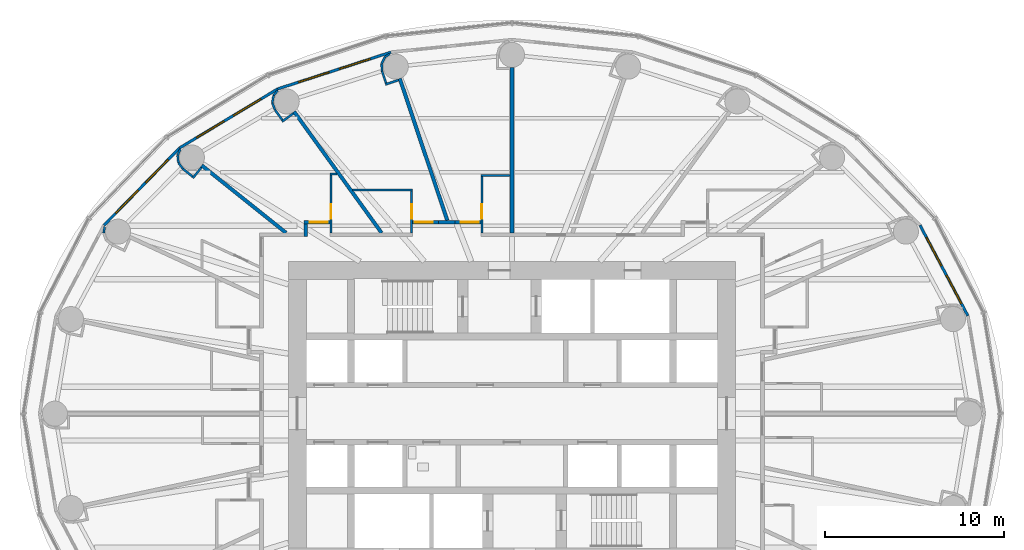
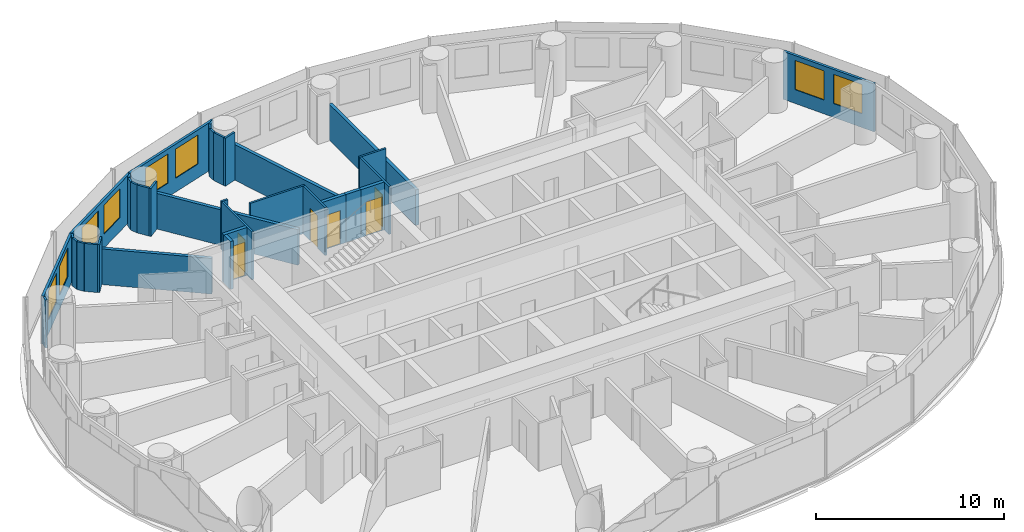
# One storey, part 12 of 16: 35 walls, 8 windows, 6 doors, 14 openings.
"""IFC4 building model written with IfcOpenShell, lengths in metres."""

from ifc_helpers import new_model, si_unit, direction, frame, frame_2d, origin, place, context, subcontext, project, spatial, rectangle, extrude, material, layer, layer_set, type_object, element, fill, save


model = new_model("IFC4")

# Units and contexts
model_context = context("Model", 3, precision=1e-05, world=origin(), true_north=direction((0.0, 1.0)))
body_context = subcontext(model_context, "Body", "Model", "MODEL_VIEW")
ifc_project = project(units=[si_unit("LENGTHUNIT", "METRE"), si_unit("AREAUNIT", "SQUARE_METRE"), si_unit("VOLUMEUNIT", "CUBIC_METRE"), si_unit("PLANEANGLEUNIT", "RADIAN"), si_unit("MASSUNIT", "GRAM", prefix="KILO")], contexts=[model_context])

# Site, building, storey
site_placement = place(None, origin())
site = spatial("IfcSite", under=ifc_project, at=site_placement, CompositionType="ELEMENT")
building_placement = place(site_placement, origin())
building = spatial("IfcBuilding", under=site, at=building_placement, Name="Hankou Lantern Tower", CompositionType="ELEMENT")
storey_placement = place(building_placement, frame((0.0, 0.0, 70.5)))
storey = spatial("IfcBuildingStorey", under=building, at=storey_placement, Name="L17", CompositionType="ELEMENT", Elevation=70.5)

# Wall, openings, windows
ifc_material_1 = material(Name="Aluminium spandrel panel on steel studs", Category="steel")
ifc_layer_1 = layer(ifc_material_1, 0.14990234375)
ifc_layer_set_1 = layer_set([ifc_layer_1], Name="Aluminium spandrel panel on steel studs")
wall_type_1 = type_object("IfcWallType", Name="EW1 INNER SKIN WALL 150", PredefinedType="ELEMENTEDWALL", material=ifc_layer_set_1)
wall_1_placement = place(storey_placement, frame((25.482421875, 5.46240234375, 0.0), z_axis=(0.0, 0.0, 1.0), x_axis=(-0.467296867008, 0.884100468321, 0.0)))
wall_1 = element("IfcWall", 1, at=wall_1_placement, inside=storey, type_object=wall_type_1, Name="Inner skin R02-R03 L17", PredefinedType="ELEMENTEDWALL", context=body_context, shape_type="SweptSolid", body=[
    extrude(rectangle(XDim=5.734375, YDim=0.14990234375, at=frame_2d((2.8671875, 0.0))), origin(), (0.0, 0.0, 1.0), 3.1201171875),
])
opening_1_placement = place(wall_1_placement, frame((0.76708984375, 0.0, 0.89990234375)))
opening_1 = element("IfcOpeningElement", 2, at=opening_1_placement, cuts=wall_1, Name="Opening W1", PredefinedType="OPENING", context=body_context, shape_type="SweptSolid", body=[
    extrude(rectangle(XDim=1.800048828125, YDim=1.89990234375, at=frame_2d((0.89990234375, 0.949951171875))), frame((0.0, 0.0849609375, 0.0), z_axis=(0.0, -1.0, 0.0), x_axis=(1.0, 0.0, 0.0)), (0.0, 0.0, 1.0), 0.169921875),
])
opening_2_placement = place(wall_1_placement, frame((3.167236328125, 0.0, 0.89990234375)))
opening_2 = element("IfcOpeningElement", 3, at=opening_2_placement, cuts=wall_1, Name="Opening W1", PredefinedType="OPENING", context=body_context, shape_type="SweptSolid", body=[
    extrude(rectangle(XDim=1.800048828125, YDim=1.89990234375, at=frame_2d((0.89990234375, 0.949951171875))), frame((0.0, 0.0849609375, 0.0), z_axis=(0.0, -1.0, 0.0), x_axis=(1.0, 0.0, 0.0)), (0.0, 0.0, 1.0), 0.169921875),
])
ifc_material_2 = material(Name="Aluminium framed double glazed window", Category="aluminium")
window_type = type_object("IfcWindowType", Name="W1 GUEST ROOM WINDOW 1800X1900", PartitioningType="DOUBLE_PANEL_VERTICAL", PredefinedType="WINDOW", material=ifc_material_2)
window_1_placement = place(opening_1_placement, origin())
window_1 = element("IfcWindow", 4, at=window_1_placement, inside=storey, type_object=window_type, Name="Window R02.1 L17", OverallHeight=1.89990234375, OverallWidth=1.800048828125, PartitioningType="SINGLE_PANEL", PredefinedType="WINDOW", context=body_context, shape_type="SweptSolid", body=[
    extrude(rectangle(XDim=1.800048828125, YDim=1.89990234375, at=frame_2d((0.89990234375, 0.949951171875))), frame((0.0, 0.030029296875, 0.0), z_axis=(0.0, -1.0, 0.0), x_axis=(1.0, 0.0, 0.0)), (0.0, 0.0, 1.0), 0.06005859375),
])
fill(opening_1, window_1)
window_2_placement = place(opening_2_placement, origin())
window_2 = element("IfcWindow", 5, at=window_2_placement, inside=storey, type_object=window_type, Name="Window R02.2 L17", OverallHeight=1.89990234375, OverallWidth=1.800048828125, PartitioningType="SINGLE_PANEL", PredefinedType="WINDOW", context=body_context, shape_type="SweptSolid", body=[
    extrude(rectangle(XDim=1.800048828125, YDim=1.89990234375, at=frame_2d((0.89990234375, 0.949951171875))), frame((0.0, 0.030029296875, 0.0), z_axis=(0.0, -1.0, 0.0), x_axis=(1.0, 0.0, 0.0)), (0.0, 0.0, 1.0), 0.06005859375),
])
fill(opening_2, window_2)

wall_2_placement = place(storey_placement, frame((-6.766357421875, 20.201904296875, 0.0), z_axis=(0.0, 0.0, 1.0), x_axis=(-0.951137534625, -0.308767534285, 0.0)))
wall_2 = element("IfcWall", 6, at=wall_2_placement, inside=storey, type_object=wall_type_1, Name="Inner skin R08-R09 L17", PredefinedType="ELEMENTEDWALL", context=body_context, shape_type="SweptSolid", body=[
    extrude(rectangle(XDim=6.6552734375, YDim=0.14990234375, at=frame_2d((3.32763671875, 0.0))), origin(), (0.0, 0.0, 1.0), 3.1201171875),
])
opening_3_placement = place(wall_2_placement, frame((1.2275390625, 0.0, 0.89990234375)))
opening_3 = element("IfcOpeningElement", 7, at=opening_3_placement, cuts=wall_2, Name="Opening W1", PredefinedType="OPENING", context=body_context, shape_type="SweptSolid", body=[
    extrude(rectangle(XDim=1.800048828125, YDim=1.89990234375, at=frame_2d((0.89990234375, 0.949951171875))), frame((0.0, 0.0849609375, 0.0), z_axis=(0.0, -1.0, 0.0), x_axis=(1.0, 0.0, 0.0)), (0.0, 0.0, 1.0), 0.169921875),
])
opening_4_placement = place(wall_2_placement, frame((3.627685546875, 0.0, 0.89990234375)))
opening_4 = element("IfcOpeningElement", 8, at=opening_4_placement, cuts=wall_2, Name="Opening W1", PredefinedType="OPENING", context=body_context, shape_type="SweptSolid", body=[
    extrude(rectangle(XDim=1.800048828125, YDim=1.89990234375, at=frame_2d((0.89990234375, 0.949951171875))), frame((0.0, 0.0849609375, 0.0), z_axis=(0.0, -1.0, 0.0), x_axis=(1.0, 0.0, 0.0)), (0.0, 0.0, 1.0), 0.169921875),
])
window_3_placement = place(opening_3_placement, origin())
window_3 = element("IfcWindow", 9, at=window_3_placement, inside=storey, type_object=window_type, Name="Window R08.1 L17", OverallHeight=1.89990234375, OverallWidth=1.800048828125, PartitioningType="SINGLE_PANEL", PredefinedType="WINDOW", context=body_context, shape_type="SweptSolid", body=[
    extrude(rectangle(XDim=1.800048828125, YDim=1.89990234375, at=frame_2d((0.89990234375, 0.949951171875))), frame((0.0, 0.030029296875, 0.0), z_axis=(0.0, -1.0, 0.0), x_axis=(1.0, 0.0, 0.0)), (0.0, 0.0, 1.0), 0.06005859375),
])
fill(opening_3, window_3)
window_4_placement = place(opening_4_placement, origin())
window_4 = element("IfcWindow", 10, at=window_4_placement, inside=storey, type_object=window_type, Name="Window R08.2 L17", OverallHeight=1.89990234375, OverallWidth=1.800048828125, PartitioningType="SINGLE_PANEL", PredefinedType="WINDOW", context=body_context, shape_type="SweptSolid", body=[
    extrude(rectangle(XDim=1.800048828125, YDim=1.89990234375, at=frame_2d((0.89990234375, 0.949951171875))), frame((0.0, 0.030029296875, 0.0), z_axis=(0.0, -1.0, 0.0), x_axis=(1.0, 0.0, 0.0)), (0.0, 0.0, 1.0), 0.06005859375),
])
fill(opening_4, window_4)

wall_3_placement = place(storey_placement, frame((-13.096435546875, 18.14697265625, 0.0), z_axis=(0.0, 0.0, 1.0), x_axis=(-0.856983180864, -0.515344377787, 0.0)))
wall_3 = element("IfcWall", 11, at=wall_3_placement, inside=storey, type_object=wall_type_1, Name="Inner skin R09-R10 L17", PredefinedType="ELEMENTEDWALL", context=body_context, shape_type="SweptSolid", body=[
    extrude(rectangle(XDim=6.386474609375, YDim=0.14990234375, at=frame_2d((3.193359375, 0.0))), origin(), (0.0, 0.0, 1.0), 3.1201171875),
])
opening_5_placement = place(wall_3_placement, frame((1.09326171875, 0.0, 0.89990234375)))
opening_5 = element("IfcOpeningElement", 12, at=opening_5_placement, cuts=wall_3, Name="Opening W1", PredefinedType="OPENING", context=body_context, shape_type="SweptSolid", body=[
    extrude(rectangle(XDim=1.800048828125, YDim=1.89990234375, at=frame_2d((0.89990234375, 0.949951171875))), frame((0.0, 0.0849609375, 0.0), z_axis=(0.0, -1.0, 0.0), x_axis=(1.0, 0.0, 0.0)), (0.0, 0.0, 1.0), 0.169921875),
])
opening_6_placement = place(wall_3_placement, frame((3.4931640625, 0.0, 0.89990234375)))
opening_6 = element("IfcOpeningElement", 13, at=opening_6_placement, cuts=wall_3, Name="Opening W1", PredefinedType="OPENING", context=body_context, shape_type="SweptSolid", body=[
    extrude(rectangle(XDim=1.800048828125, YDim=1.89990234375, at=frame_2d((0.89990234375, 0.949951171875))), frame((0.0, 0.0849609375, 0.0), z_axis=(0.0, -1.0, 0.0), x_axis=(1.0, 0.0, 0.0)), (0.0, 0.0, 1.0), 0.169921875),
])
window_5_placement = place(opening_5_placement, origin())
window_5 = element("IfcWindow", 14, at=window_5_placement, inside=storey, type_object=window_type, Name="Window R09.1 L17", OverallHeight=1.89990234375, OverallWidth=1.800048828125, PartitioningType="SINGLE_PANEL", PredefinedType="WINDOW", context=body_context, shape_type="SweptSolid", body=[
    extrude(rectangle(XDim=1.800048828125, YDim=1.89990234375, at=frame_2d((0.89990234375, 0.949951171875))), frame((0.0, 0.030029296875, 0.0), z_axis=(0.0, -1.0, 0.0), x_axis=(1.0, 0.0, 0.0)), (0.0, 0.0, 1.0), 0.06005859375),
])
fill(opening_5, window_5)
window_6_placement = place(opening_6_placement, origin())
window_6 = element("IfcWindow", 15, at=window_6_placement, inside=storey, type_object=window_type, Name="Window R09.2 L17", OverallHeight=1.89990234375, OverallWidth=1.800048828125, PartitioningType="SINGLE_PANEL", PredefinedType="WINDOW", context=body_context, shape_type="SweptSolid", body=[
    extrude(rectangle(XDim=1.800048828125, YDim=1.89990234375, at=frame_2d((0.89990234375, 0.949951171875))), frame((0.0, 0.030029296875, 0.0), z_axis=(0.0, -1.0, 0.0), x_axis=(1.0, 0.0, 0.0)), (0.0, 0.0, 1.0), 0.06005859375),
])
fill(opening_6, window_6)

wall_4_placement = place(storey_placement, frame((-18.569580078125, 14.855712890625, 0.0), z_axis=(0.0, 0.0, 1.0), x_axis=(-0.699602905915, -0.714531856557, 0.0)))
wall_4 = element("IfcWall", 16, at=wall_4_placement, inside=storey, type_object=wall_type_1, Name="Inner skin R10-R11 L17", PredefinedType="ELEMENTEDWALL", context=body_context, shape_type="SweptSolid", body=[
    extrude(rectangle(XDim=6.05078125, YDim=0.14990234375, at=frame_2d((3.025390625, 0.0))), origin(), (0.0, 0.0, 1.0), 3.1201171875),
])
opening_7_placement = place(wall_4_placement, frame((0.925537109375, 0.0, 0.89990234375)))
opening_7 = element("IfcOpeningElement", 17, at=opening_7_placement, cuts=wall_4, Name="Opening W1", PredefinedType="OPENING", context=body_context, shape_type="SweptSolid", body=[
    extrude(rectangle(XDim=1.800048828125, YDim=1.89990234375, at=frame_2d((0.89990234375, 0.949951171875))), frame((0.0, 0.0849609375, 0.0), z_axis=(0.0, -1.0, 0.0), x_axis=(1.0, 0.0, 0.0)), (0.0, 0.0, 1.0), 0.169921875),
])
opening_8_placement = place(wall_4_placement, frame((3.325439453125, 0.0, 0.89990234375)))
opening_8 = element("IfcOpeningElement", 18, at=opening_8_placement, cuts=wall_4, Name="Opening W1", PredefinedType="OPENING", context=body_context, shape_type="SweptSolid", body=[
    extrude(rectangle(XDim=1.800048828125, YDim=1.89990234375, at=frame_2d((0.89990234375, 0.949951171875))), frame((0.0, 0.0849609375, 0.0), z_axis=(0.0, -1.0, 0.0), x_axis=(1.0, 0.0, 0.0)), (0.0, 0.0, 1.0), 0.169921875),
])
window_7_placement = place(opening_7_placement, origin())
window_7 = element("IfcWindow", 19, at=window_7_placement, inside=storey, type_object=window_type, Name="Window R10.1 L17", OverallHeight=1.89990234375, OverallWidth=1.800048828125, PartitioningType="SINGLE_PANEL", PredefinedType="WINDOW", context=body_context, shape_type="SweptSolid", body=[
    extrude(rectangle(XDim=1.800048828125, YDim=1.89990234375, at=frame_2d((0.89990234375, 0.949951171875))), frame((0.0, 0.030029296875, 0.0), z_axis=(0.0, -1.0, 0.0), x_axis=(1.0, 0.0, 0.0)), (0.0, 0.0, 1.0), 0.06005859375),
])
fill(opening_7, window_7)
window_8_placement = place(opening_8_placement, origin())
window_8 = element("IfcWindow", 20, at=window_8_placement, inside=storey, type_object=window_type, Name="Window R10.2 L17", OverallHeight=1.89990234375, OverallWidth=1.800048828125, PartitioningType="SINGLE_PANEL", PredefinedType="WINDOW", context=body_context, shape_type="SweptSolid", body=[
    extrude(rectangle(XDim=1.800048828125, YDim=1.89990234375, at=frame_2d((0.89990234375, 0.949951171875))), frame((0.0, 0.030029296875, 0.0), z_axis=(0.0, -1.0, 0.0), x_axis=(1.0, 0.0, 0.0)), (0.0, 0.0, 1.0), 0.06005859375),
])
fill(opening_8, window_8)

# Walls
ifc_material_3 = material(Name="Masonry lightweight concrete block", Category="masonry")
ifc_layer_2 = layer(ifc_material_3, 0.199951171875)
ifc_layer_set_2 = layer_set([ifc_layer_2], Name="Masonry lightweight concrete block")
wall_type_2 = type_object("IfcWallType", Name="IW1 GUEST ROOM PARTY WALL 200", PredefinedType="PARTITIONING", material=ifc_layer_set_2)
wall_5_placement = place(storey_placement, frame((-3.617431640625, 10.800048828125, 0.0), z_axis=(0.0, 0.0, 1.0), x_axis=(-0.317576599239, 0.948232621046, 0.0)))
element("IfcWall", 21, at=wall_5_placement, inside=storey, type_object=wall_type_2, Name="Party wall R08", PredefinedType="PARTITIONING", context=body_context, shape_type="SweptSolid", body=[
    extrude(rectangle(XDim=8.3603515625, YDim=0.199951171875, at=frame_2d((4.18017578125, 0.0))), origin(), (0.0, 0.0, 1.0), 2.320068359375),
])
wall_6_placement = place(storey_placement, frame((-7.2890625, 10.10009765625, 0.0), z_axis=(0.0, 0.0, 1.0), x_axis=(-0.585198353053, 0.810890182197, 0.0)))
element("IfcWall", 22, at=wall_6_placement, inside=storey, type_object=wall_type_2, Name="Party wall R09", PredefinedType="PARTITIONING", context=body_context, shape_type="SweptSolid", body=[
    extrude(rectangle(XDim=8.359619140625, YDim=0.199951171875, at=frame_2d((4.1796875, 0.0))), origin(), (0.0, 0.0, 1.0), 2.320068359375),
])
wall_7_placement = place(storey_placement, frame((-12.625, 10.10009765625, 0.0), z_axis=(0.0, 0.0, 1.0), x_axis=(-0.780892451574, 0.624665493744, 0.0)))
element("IfcWall", 23, at=wall_7_placement, inside=storey, type_object=wall_type_2, Name="Party wall R10", PredefinedType="PARTITIONING", context=body_context, shape_type="SweptSolid", body=[
    extrude(rectangle(XDim=6.044677734375, YDim=0.199951171875, at=frame_2d((3.0224609375, 0.0))), origin(), (0.0, 0.0, 1.0), 2.320068359375),
])

# Wall, opening, door
ifc_material_4 = material(Name="Masonry lightweight concrete block", Category="masonry")
ifc_layer_3 = layer(ifc_material_4, 0.199951171875)
ifc_layer_set_3 = layer_set([ifc_layer_3], Name="Masonry lightweight concrete block")
wall_type_3 = type_object("IfcWallType", Name="IW2 CORRIDOR WALL 200", PredefinedType="PARTITIONING", material=ifc_layer_set_3)
wall_8_placement = place(storey_placement, frame((-3.179931640625, 10.699951171875, 0.0), z_axis=(0.0, 0.0, 1.0), x_axis=(1.0, 0.0, 0.0)))
wall_8 = element("IfcWall", 24, at=wall_8_placement, inside=storey, type_object=wall_type_3, Name="Corridor recess wall 1712 back", PredefinedType="PARTITIONING", context=body_context, shape_type="SweptSolid", body=[
    extrude(rectangle(XDim=1.43994140625, YDim=0.199951171875, at=frame_2d((0.719970703125, 0.0))), origin(), (0.0, 0.0, 1.0), 3.1201171875),
])
opening_9_placement = place(wall_8_placement, frame((0.320068359375, 0.0, 0.0)))
opening_9 = element("IfcOpeningElement", 25, at=opening_9_placement, cuts=wall_8, Name="Opening D1", PredefinedType="OPENING", context=body_context, shape_type="SweptSolid", body=[
    extrude(rectangle(XDim=1.0, YDim=2.199951171875, at=frame_2d((0.5, 1.10009765625))), frame((0.0, 0.10986328125, 0.0), z_axis=(0.0, -1.0, 0.0), x_axis=(1.0, 0.0, 0.0)), (0.0, 0.0, 1.0), 0.219970703125),
])
ifc_material_5 = material(Name="Steel door leaf", Category="steel")
door_type_1 = type_object("IfcDoorType", Name="D1 GUEST ROOM DOOR 1000X2200", OperationType="SINGLE_SWING_LEFT", PredefinedType="DOOR", material=ifc_material_5)
door_1_placement = place(opening_9_placement, origin())
door_1 = element("IfcDoor", 26, at=door_1_placement, inside=storey, type_object=door_type_1, Name="Guest room door 1712", OperationType="SINGLE_SWING_RIGHT", OverallHeight=2.199951171875, OverallWidth=1.0, PredefinedType="DOOR", context=body_context, shape_type="SweptSolid", body=[
    extrude(rectangle(XDim=1.0, YDim=2.199951171875, at=frame_2d((0.5, 1.10009765625))), frame((0.0, 0.02490234375, 0.0), z_axis=(0.0, -1.0, 0.0), x_axis=(1.0, 0.0, 0.0)), (0.0, 0.0, 1.0), 0.050048828125),
])
fill(opening_9, door_1)

wall_9_placement = place(storey_placement, frame((-5.549072265625, 10.699951171875, 0.0), z_axis=(0.0, 0.0, 1.0), x_axis=(1.0, 0.0, 0.0)))
wall_9 = element("IfcWall", 27, at=wall_9_placement, inside=storey, type_object=wall_type_3, Name="Corridor recess wall 1713 back", PredefinedType="PARTITIONING", context=body_context, shape_type="SweptSolid", body=[
    extrude(rectangle(XDim=1.43994140625, YDim=0.199951171875, at=frame_2d((0.719970703125, 0.0))), origin(), (0.0, 0.0, 1.0), 3.1201171875),
])
opening_10_placement = place(wall_9_placement, frame((0.1201171875, 0.0, 0.0)))
opening_10 = element("IfcOpeningElement", 28, at=opening_10_placement, cuts=wall_9, Name="Opening D1", PredefinedType="OPENING", context=body_context, shape_type="SweptSolid", body=[
    extrude(rectangle(XDim=1.0, YDim=2.199951171875, at=frame_2d((0.5, 1.10009765625))), frame((0.0, 0.10986328125, 0.0), z_axis=(0.0, -1.0, 0.0), x_axis=(1.0, 0.0, 0.0)), (0.0, 0.0, 1.0), 0.219970703125),
])
door_2_placement = place(opening_10_placement, origin())
door_2 = element("IfcDoor", 29, at=door_2_placement, inside=storey, type_object=door_type_1, Name="Guest room door 1713", OperationType="SINGLE_SWING_LEFT", OverallHeight=2.199951171875, OverallWidth=1.0, PredefinedType="DOOR", context=body_context, shape_type="SweptSolid", body=[
    extrude(rectangle(XDim=1.0, YDim=2.199951171875, at=frame_2d((0.5, 1.10009765625))), frame((0.0, 0.02490234375, 0.0), z_axis=(0.0, -1.0, 0.0), x_axis=(1.0, 0.0, 0.0)), (0.0, 0.0, 1.0), 0.050048828125),
])
fill(opening_10, door_2)

wall_10_placement = place(storey_placement, frame((-11.619140625, 10.699951171875, 0.0), z_axis=(0.0, 0.0, 1.0), x_axis=(1.0, 0.0, 0.0)))
wall_10 = element("IfcWall", 30, at=wall_10_placement, inside=storey, type_object=wall_type_3, Name="Corridor recess wall 1714 back", PredefinedType="PARTITIONING", context=body_context, shape_type="SweptSolid", body=[
    extrude(rectangle(XDim=1.440185546875, YDim=0.199951171875, at=frame_2d((0.72021484375, 0.0))), origin(), (0.0, 0.0, 1.0), 3.1201171875),
])
opening_11_placement = place(wall_10_placement, frame((0.320068359375, 0.0, 0.0)))
opening_11 = element("IfcOpeningElement", 31, at=opening_11_placement, cuts=wall_10, Name="Opening D1", PredefinedType="OPENING", context=body_context, shape_type="SweptSolid", body=[
    extrude(rectangle(XDim=1.0, YDim=2.199951171875, at=frame_2d((0.5, 1.10009765625))), frame((0.0, 0.10986328125, 0.0), z_axis=(0.0, -1.0, 0.0), x_axis=(1.0, 0.0, 0.0)), (0.0, 0.0, 1.0), 0.219970703125),
])
door_3_placement = place(opening_11_placement, origin())
door_3 = element("IfcDoor", 32, at=door_3_placement, inside=storey, type_object=door_type_1, Name="Guest room door 1714", OperationType="SINGLE_SWING_RIGHT", OverallHeight=2.199951171875, OverallWidth=1.0, PredefinedType="DOOR", context=body_context, shape_type="SweptSolid", body=[
    extrude(rectangle(XDim=1.0, YDim=2.199951171875, at=frame_2d((0.5, 1.10009765625))), frame((0.0, 0.02490234375, 0.0), z_axis=(0.0, -1.0, 0.0), x_axis=(1.0, 0.0, 0.0)), (0.0, 0.0, 1.0), 0.050048828125),
])
fill(opening_11, door_3)

# Walls
wall_11_placement = place(storey_placement, frame((-11.51904296875, 9.89990234375, 0.0), z_axis=(0.0, 0.0, 1.0), x_axis=(0.0, 1.0, 0.0)))
element("IfcWall", 33, at=wall_11_placement, inside=storey, type_object=wall_type_3, Name="Corridor recess wall 1714 side", PredefinedType="PARTITIONING", context=body_context, shape_type="SweptSolid", body=[
    extrude(rectangle(XDim=0.7001953125, YDim=0.199951171875, at=frame_2d((0.35009765625, 0.0))), origin(), (0.0, 0.0, 1.0), 3.1201171875),
])
wall_12_placement = place(storey_placement, frame((-4.109130859375, 10.699951171875, 0.0), z_axis=(0.0, 0.0, 1.0), x_axis=(1.0, 0.0, 0.0)))
element("IfcWall", 34, at=wall_12_placement, inside=storey, type_object=wall_type_3, Name="Corridor recess wall 1713 and 1712 back", PredefinedType="PARTITIONING", context=body_context, shape_type="SweptSolid", body=[
    extrude(rectangle(XDim=0.92919921875, YDim=0.199951171875, at=frame_2d((0.464599609375, 0.0))), origin(), (0.0, 0.0, 1.0), 3.1201171875),
])
ifc_material_6 = material(Name="Masonry lightweight concrete block", Category="masonry")
ifc_layer_4 = layer(ifc_material_6, 0.1201171875)
ifc_layer_set_4 = layer_set([ifc_layer_4], Name="Masonry lightweight concrete block")
wall_type_4 = type_object("IfcWallType", Name="IW3 BATHROOM WALL 120", PredefinedType="PARTITIONING", material=ifc_layer_set_4)
wall_13_placement = place(storey_placement, frame((-0.10009765625, 13.300048828125, 0.0), z_axis=(0.0, 0.0, 1.0), x_axis=(-1.0, 0.0, 0.0)))
element("IfcWall", 35, at=wall_13_placement, inside=storey, type_object=wall_type_4, Name="Box wall 1712 1", PredefinedType="PARTITIONING", context=body_context, shape_type="SweptSolid", body=[
    extrude(rectangle(XDim=1.639892578125, YDim=0.1201171875, at=frame_2d((0.81982421875, 0.0))), origin(), (0.0, 0.0, 1.0), 3.1201171875),
])

# Wall, opening, door
wall_14_placement = place(storey_placement, frame((-1.679931640625, 10.10009765625, 0.0), z_axis=(0.0, 0.0, 1.0), x_axis=(0.0, 1.0, 0.0)))
wall_14 = element("IfcWall", 36, at=wall_14_placement, inside=storey, type_object=wall_type_4, Name="Box wall 1712 1", PredefinedType="PARTITIONING", context=body_context, shape_type="SweptSolid", body=[
    extrude(rectangle(XDim=3.139892578125, YDim=0.1201171875, at=frame_2d((1.56982421875, 0.0))), origin(), (0.0, 0.0, 1.0), 3.1201171875),
])
opening_12_placement = place(wall_14_placement, frame((0.800048828125, 0.0, 0.0)))
opening_12 = element("IfcOpeningElement", 37, at=opening_12_placement, cuts=wall_14, Name="Opening D3", PredefinedType="OPENING", context=body_context, shape_type="SweptSolid", body=[
    extrude(rectangle(XDim=0.800048828125, YDim=2.10009765625, at=frame_2d((0.39990234375, 1.050048828125))), frame((0.0, 0.070068359375, 0.0), z_axis=(0.0, -1.0, 0.0), x_axis=(1.0, 0.0, 0.0)), (0.0, 0.0, 1.0), 0.14013671875),
])
ifc_material_7 = material(Name="Timber door leaf", Category="wood")
door_type_2 = type_object("IfcDoorType", Name="D3 BATHROOM DOOR 800X2100", OperationType="SINGLE_SWING_LEFT", PredefinedType="DOOR", material=ifc_material_7)
door_4_placement = place(opening_12_placement, origin())
door_4 = element("IfcDoor", 38, at=door_4_placement, inside=storey, type_object=door_type_2, Name="En-suite bathroom 1712 door", OperationType="SINGLE_SWING_LEFT", OverallHeight=2.10009765625, OverallWidth=0.800048828125, PredefinedType="DOOR", context=body_context, shape_type="SweptSolid", body=[
    extrude(rectangle(XDim=0.800048828125, YDim=2.10009765625, at=frame_2d((0.39990234375, 1.050048828125))), frame((0.0, 0.02490234375, 0.0), z_axis=(0.0, -1.0, 0.0), x_axis=(1.0, 0.0, 0.0)), (0.0, 0.0, 1.0), 0.050048828125),
])
fill(opening_12, door_4)

# Wall
wall_15_placement = place(storey_placement, frame((-8.921142578125, 12.5, 0.0), z_axis=(0.0, 0.0, 1.0), x_axis=(1.0, 0.0, 0.0)))
element("IfcWall", 39, at=wall_15_placement, inside=storey, type_object=wall_type_4, Name="Box wall 1713 1", PredefinedType="PARTITIONING", context=body_context, shape_type="SweptSolid", body=[
    extrude(rectangle(XDim=3.3720703125, YDim=0.1201171875, at=frame_2d((1.68603515625, 0.0))), origin(), (0.0, 0.0, 1.0), 3.1201171875),
])

# Wall, opening, door
wall_16_placement = place(storey_placement, frame((-5.609130859375, 10.10009765625, 0.0), z_axis=(0.0, 0.0, 1.0), x_axis=(0.0, 1.0, 0.0)))
wall_16 = element("IfcWall", 40, at=wall_16_placement, inside=storey, type_object=wall_type_4, Name="Box wall 1713 1", PredefinedType="PARTITIONING", context=body_context, shape_type="SweptSolid", body=[
    extrude(rectangle(XDim=2.33984375, YDim=0.1201171875, at=frame_2d((1.169921875, 0.0))), origin(), (0.0, 0.0, 1.0), 3.1201171875),
])
opening_13_placement = place(wall_16_placement, frame((0.800048828125, 0.0, 0.0)))
opening_13 = element("IfcOpeningElement", 41, at=opening_13_placement, cuts=wall_16, Name="Opening D3", PredefinedType="OPENING", context=body_context, shape_type="SweptSolid", body=[
    extrude(rectangle(XDim=0.800048828125, YDim=2.10009765625, at=frame_2d((0.39990234375, 1.050048828125))), frame((0.0, 0.070068359375, 0.0), z_axis=(0.0, -1.0, 0.0), x_axis=(1.0, 0.0, 0.0)), (0.0, 0.0, 1.0), 0.14013671875),
])
door_5_placement = place(opening_13_placement, origin())
door_5 = element("IfcDoor", 42, at=door_5_placement, inside=storey, type_object=door_type_2, Name="En-suite bathroom 1713 door", OperationType="SINGLE_SWING_RIGHT", OverallHeight=2.10009765625, OverallWidth=0.800048828125, PredefinedType="DOOR", context=body_context, shape_type="SweptSolid", body=[
    extrude(rectangle(XDim=0.800048828125, YDim=2.10009765625, at=frame_2d((0.39990234375, 1.050048828125))), frame((0.0, 0.02490234375, 0.0), z_axis=(0.0, -1.0, 0.0), x_axis=(1.0, 0.0, 0.0)), (0.0, 0.0, 1.0), 0.050048828125),
])
fill(opening_13, door_5)

# Wall
wall_17_placement = place(storey_placement, frame((-9.7705078125, 13.39990234375, 0.0), z_axis=(0.0, 0.0, 1.0), x_axis=(-1.0, 0.0, 0.0)))
element("IfcWall", 43, at=wall_17_placement, inside=storey, type_object=wall_type_4, Name="Box wall 1714 1", PredefinedType="PARTITIONING", context=body_context, shape_type="SweptSolid", body=[
    extrude(rectangle(XDim=0.408447265625, YDim=0.1201171875, at=frame_2d((0.2041015625, 0.0))), origin(), (0.0, 0.0, 1.0), 3.1201171875),
])

# Wall, opening, door
wall_18_placement = place(storey_placement, frame((-10.119140625, 10.10009765625, 0.0), z_axis=(0.0, 0.0, 1.0), x_axis=(0.0, 1.0, 0.0)))
wall_18 = element("IfcWall", 44, at=wall_18_placement, inside=storey, type_object=wall_type_4, Name="Box wall 1714 1", PredefinedType="PARTITIONING", context=body_context, shape_type="SweptSolid", body=[
    extrude(rectangle(XDim=3.239990234375, YDim=0.1201171875, at=frame_2d((1.6201171875, 0.0))), origin(), (0.0, 0.0, 1.0), 3.1201171875),
])
opening_14_placement = place(wall_18_placement, frame((0.800048828125, 0.0, 0.0)))
opening_14 = element("IfcOpeningElement", 45, at=opening_14_placement, cuts=wall_18, Name="Opening D3", PredefinedType="OPENING", context=body_context, shape_type="SweptSolid", body=[
    extrude(rectangle(XDim=0.800048828125, YDim=2.10009765625, at=frame_2d((0.39990234375, 1.050048828125))), frame((0.0, 0.070068359375, 0.0), z_axis=(0.0, -1.0, 0.0), x_axis=(1.0, 0.0, 0.0)), (0.0, 0.0, 1.0), 0.14013671875),
])
door_6_placement = place(opening_14_placement, origin())
door_6 = element("IfcDoor", 46, at=door_6_placement, inside=storey, type_object=door_type_2, Name="En-suite bathroom 1714 door", OperationType="SINGLE_SWING_LEFT", OverallHeight=2.10009765625, OverallWidth=0.800048828125, PredefinedType="DOOR", context=body_context, shape_type="SweptSolid", body=[
    extrude(rectangle(XDim=0.800048828125, YDim=2.10009765625, at=frame_2d((0.39990234375, 1.050048828125))), frame((0.0, 0.02490234375, 0.0), z_axis=(0.0, -1.0, 0.0), x_axis=(1.0, 0.0, 0.0)), (0.0, 0.0, 1.0), 0.050048828125),
])
fill(opening_14, door_6)

# Walls
ifc_material_8 = material(Name="Masonry lightweight concrete block", Category="masonry")
ifc_layer_5 = layer(ifc_material_8, 0.1201171875)
ifc_layer_set_5 = layer_set([ifc_layer_5], Name="Masonry lightweight concrete block")
wall_type_5 = type_object("IfcWallType", Name="IW4 PARTITION 120", PredefinedType="PARTITIONING", material=ifc_layer_set_5)
wall_19_placement = place(storey_placement, frame((-6.348388671875, 18.638916015625, 0.0), z_axis=(0.0, 0.0, 1.0), x_axis=(-0.948268951266, -0.317468102437, 0.0)))
element("IfcWall", 47, at=wall_19_placement, inside=storey, type_object=wall_type_5, Name="Column casing R08 return", PredefinedType="PARTITIONING", context=body_context, shape_type="SweptSolid", body=[
    extrude(rectangle(XDim=0.767578125, YDim=0.1201171875, at=frame_2d((0.3837890625, 0.0))), origin(), (0.0, 0.0, 1.0), 3.1201171875),
])
wall_20_placement = place(storey_placement, frame((-7.038330078125, 18.47119140625, 0.0), z_axis=(0.0, 0.0, 1.0), x_axis=(-0.317378466199, 0.9482989556, 0.0)))
element("IfcWall", 48, at=wall_20_placement, inside=storey, type_object=wall_type_5, Name="Column casing R08", PredefinedType="PARTITIONING", context=body_context, shape_type="SweptSolid", body=[
    extrude(rectangle(XDim=0.699951171875, YDim=0.1201171875, at=frame_2d((0.35009765625, 0.0))), origin(), (0.0, 0.0, 1.0), 3.1201171875),
])
wall_21_placement = place(storey_placement, frame((-7.260498046875, 19.135009765625, 0.0), z_axis=(0.0, 0.0, 1.0), x_axis=(-0.0613238046, 0.99811792439, 0.0)))
element("IfcWall", 49, at=wall_21_placement, inside=storey, type_object=wall_type_5, Name="Column casing R08", PredefinedType="PARTITIONING", context=body_context, shape_type="SweptSolid", body=[
    extrude(rectangle(XDim=0.41796875, YDim=0.1201171875, at=frame_2d((0.208984375, 0.0))), origin(), (0.0, 0.0, 1.0), 3.1201171875),
])
wall_22_placement = place(storey_placement, frame((-7.2861328125, 19.55224609375, 0.0), z_axis=(0.0, 0.0, 1.0), x_axis=(0.445810757773, 0.89512723579, 0.0)))
element("IfcWall", 50, at=wall_22_placement, inside=storey, type_object=wall_type_5, Name="Column casing R08", PredefinedType="PARTITIONING", context=body_context, shape_type="SweptSolid", body=[
    extrude(rectangle(XDim=0.417724609375, YDim=0.1201171875, at=frame_2d((0.208984375, 0.0))), origin(), (0.0, 0.0, 1.0), 3.1201171875),
])
wall_23_placement = place(storey_placement, frame((-7.099853515625, 19.92626953125, 0.0), z_axis=(0.0, 0.0, 1.0), x_axis=(0.833488262509, 0.552537162787, 0.0)))
element("IfcWall", 51, at=wall_23_placement, inside=storey, type_object=wall_type_5, Name="Column casing R08", PredefinedType="PARTITIONING", context=body_context, shape_type="SweptSolid", body=[
    extrude(rectangle(XDim=0.312744140625, YDim=0.1201171875, at=frame_2d((0.15625, 0.0))), origin(), (0.0, 0.0, 1.0), 3.1201171875),
])
wall_24_placement = place(storey_placement, frame((-12.227294921875, 16.771728515625, 0.0), z_axis=(0.0, 0.0, 1.0), x_axis=(-0.810821798253, -0.585293098778, 0.0)))
element("IfcWall", 52, at=wall_24_placement, inside=storey, type_object=wall_type_5, Name="Column casing R09 return", PredefinedType="PARTITIONING", context=body_context, shape_type="SweptSolid", body=[
    extrude(rectangle(XDim=0.767578125, YDim=0.1201171875, at=frame_2d((0.3837890625, 0.0))), origin(), (0.0, 0.0, 1.0), 3.1201171875),
])
wall_25_placement = place(storey_placement, frame((-12.8359375, 16.40625, 0.0), z_axis=(0.0, 0.0, 1.0), x_axis=(-0.585223113993, 0.810872312296, 0.0)))
element("IfcWall", 53, at=wall_25_placement, inside=storey, type_object=wall_type_5, Name="Column casing R09", PredefinedType="PARTITIONING", context=body_context, shape_type="SweptSolid", body=[
    extrude(rectangle(XDim=0.699951171875, YDim=0.1201171875, at=frame_2d((0.35009765625, 0.0))), origin(), (0.0, 0.0, 1.0), 3.1201171875),
])
wall_26_placement = place(storey_placement, frame((-13.24560546875, 16.973876953125, 0.0), z_axis=(0.0, 0.0, 1.0), x_axis=(-0.355728122235, 0.934589483705, 0.0)))
element("IfcWall", 54, at=wall_26_placement, inside=storey, type_object=wall_type_5, Name="Column casing R09", PredefinedType="PARTITIONING", context=body_context, shape_type="SweptSolid", body=[
    extrude(rectangle(XDim=0.41796875, YDim=0.1201171875, at=frame_2d((0.208984375, 0.0))), origin(), (0.0, 0.0, 1.0), 3.1201171875),
])
wall_27_placement = place(storey_placement, frame((-13.394287109375, 17.364501953125, 0.0), z_axis=(0.0, 0.0, 1.0), x_axis=(0.159379276926, 0.987217425943, 0.0)))
element("IfcWall", 55, at=wall_27_placement, inside=storey, type_object=wall_type_5, Name="Column casing R09", PredefinedType="PARTITIONING", context=body_context, shape_type="SweptSolid", body=[
    extrude(rectangle(XDim=0.418212890625, YDim=0.1201171875, at=frame_2d((0.208984375, 0.0))), origin(), (0.0, 0.0, 1.0), 3.1201171875),
])
wall_28_placement = place(storey_placement, frame((-13.32763671875, 17.77734375, 0.0), z_axis=(0.0, 0.0, 1.0), x_axis=(0.632276783541, 0.774742582407, 0.0)))
element("IfcWall", 56, at=wall_28_placement, inside=storey, type_object=wall_type_5, Name="Column casing R09", PredefinedType="PARTITIONING", context=body_context, shape_type="SweptSolid", body=[
    extrude(rectangle(XDim=0.35986328125, YDim=0.1201171875, at=frame_2d((0.179931640625, 0.0))), origin(), (0.0, 0.0, 1.0), 3.1201171875),
])
wall_29_placement = place(storey_placement, frame((-17.36083984375, 13.760498046875, 0.0), z_axis=(0.0, 0.0, 1.0), x_axis=(-0.624501042889, -0.781023973659, 0.0)))
element("IfcWall", 57, at=wall_29_placement, inside=storey, type_object=wall_type_5, Name="Column casing R10 return", PredefinedType="PARTITIONING", context=body_context, shape_type="SweptSolid", body=[
    extrude(rectangle(XDim=0.767333984375, YDim=0.1201171875, at=frame_2d((0.3837890625, 0.0))), origin(), (0.0, 0.0, 1.0), 3.1201171875),
])
wall_30_placement = place(storey_placement, frame((-17.849609375, 13.24560546875, 0.0), z_axis=(0.0, 0.0, 1.0), x_axis=(-0.780902834923, 0.62465251333, 0.0)))
element("IfcWall", 58, at=wall_30_placement, inside=storey, type_object=wall_type_5, Name="Column casing R10", PredefinedType="PARTITIONING", context=body_context, shape_type="SweptSolid", body=[
    extrude(rectangle(XDim=0.699951171875, YDim=0.1201171875, at=frame_2d((0.35009765625, 0.0))), origin(), (0.0, 0.0, 1.0), 3.1201171875),
])
for number, where, z_axis, x_axis, name in (
    (59, (-18.396240234375, 13.682861328125, 0.0), (0.0, 0.0, 1.0), (-0.592401603461, 0.805642811807, 0.0), "Column casing R10"),
    (60, (-18.643798828125, 14.01953125, 0.0), (0.0, 0.0, 1.0), (-0.110367433259, 0.993890854006, 0.0), "Column casing R10"),
):
    element("IfcWall", number, at=place(storey_placement, frame(where, z_axis=z_axis, x_axis=x_axis)), inside=storey, type_object=wall_type_5, Name=name, PredefinedType="PARTITIONING", context=body_context, shape_type="SweptSolid", body=[
        extrude(rectangle(XDim=0.41796875, YDim=0.1201171875, at=frame_2d((0.208984375, 0.0))), origin(), (0.0, 0.0, 1.0), 3.1201171875),
    ])
wall_31_placement = place(storey_placement, frame((-18.68994140625, 14.43505859375, 0.0), z_axis=(0.0, 0.0, 1.0), x_axis=(0.401093412634, 0.91603715773, 0.0)))
element("IfcWall", 61, at=wall_31_placement, inside=storey, type_object=wall_type_5, Name="Column casing R10", PredefinedType="PARTITIONING", context=body_context, shape_type="SweptSolid", body=[
    extrude(rectangle(XDim=0.373046875, YDim=0.1201171875, at=frame_2d((0.1865234375, 0.0))), origin(), (0.0, 0.0, 1.0), 3.1201171875),
])
wall_32_placement = place(storey_placement, frame((-22.8232421875, 10.096923828125, 0.0), z_axis=(0.0, 0.0, 1.0), x_axis=(0.169674995186, 0.985500074079, 0.0)))
element("IfcWall", 62, at=wall_32_placement, inside=storey, type_object=wall_type_5, Name="Column casing R11", PredefinedType="PARTITIONING", context=body_context, shape_type="SweptSolid", body=[
    extrude(rectangle(XDim=0.3525390625, YDim=0.1201171875, at=frame_2d((0.17626953125, 0.0))), origin(), (0.0, 0.0, 1.0), 3.1201171875),
])
ifc_material_9 = material(Name="Masonry lightweight concrete block", Category="masonry")
ifc_layer_6 = layer(ifc_material_9, 0.199951171875)
ifc_layer_set_6 = layer_set([ifc_layer_6], Name="Masonry lightweight concrete block")
wall_type_6 = type_object("IfcWallType", Name="IW8 PARTITION 200", PredefinedType="PARTITIONING", material=ifc_layer_set_6)
wall_33_placement = place(storey_placement, frame((0.0, 10.10009765625, 0.0), z_axis=(0.0, 0.0, 1.0), x_axis=(0.0, 1.0, 0.0)))
element("IfcWall", 63, at=wall_33_placement, inside=storey, type_object=wall_type_6, Name="Partition R07", PredefinedType="PARTITIONING", context=body_context, shape_type="SweptSolid", body=[
    extrude(rectangle(XDim=9.25, YDim=0.199951171875, at=frame_2d((4.625, 0.0))), origin(), (0.0, 0.0, 1.0), 2.320068359375),
])

save(model, "model.ifc")
